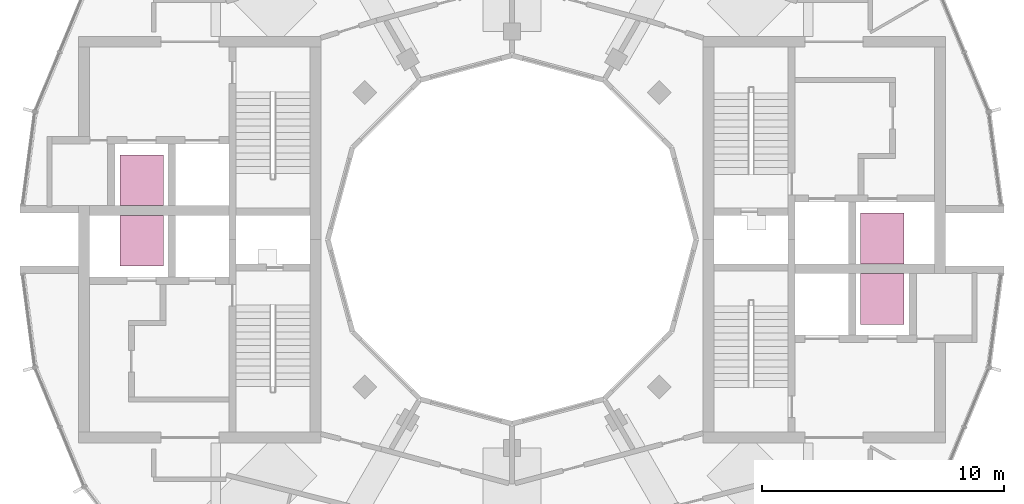
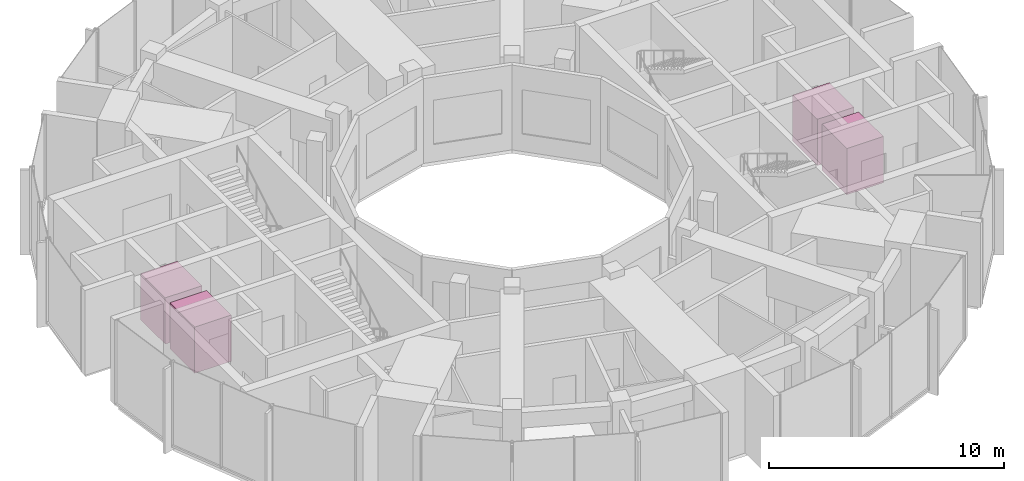
# One storey, part 13 of 13: 4 transport elements.
"""IFC4 building model written with IfcOpenShell, lengths in metres."""

import ifcopenshell
import ifcopenshell.guid

model = None  # the IFC model being written
_history = None  # IfcOwnerHistory: only IFC2X3 demands one
_inside = {}  # id of a spatial element -> (the spatial element, [elements in it])
_under = {}  # id of a project, library or spatial element -> (it, [spatial elements below it])
_declared = {}  # id of a project -> (the project, [libraries it declares])
_typed = {}  # id of a type object -> (the type object, [elements of that type])
_made_of = {}  # id of a material, layer set ... -> (it, [elements and type objects made of it])


def new_model(schema):
    """Start an empty IFC model of exactly this schema.

    Asked for "IFC4X3", IfcOpenShell would pick the latest addendum, in which some entities
    have other attributes; the version numbers below select the first issue.
    IFC2X3 requires an IfcOwnerHistory on every rooted entity: one is made here for all.
    """
    global model, _history
    if schema == "IFC4X3":
        model = ifcopenshell.file(schema_version=(4, 3, 0, 0))
    else:
        model = ifcopenshell.file(schema=schema)
    _inside.clear()
    _under.clear()
    _declared.clear()
    _typed.clear()
    _made_of.clear()
    _history = None
    if model.schema == "IFC2X3":
        org = make("IfcOrganization", Name="unknown")
        user = make(
            "IfcPersonAndOrganization",
            ThePerson=make("IfcPerson", FamilyName="unknown"),
            TheOrganization=org,
        )
        app = make(
            "IfcApplication",
            ApplicationDeveloper=org,
            Version="unknown",
            ApplicationFullName="unknown",
            ApplicationIdentifier="unknown",
        )
        _history = make(
            "IfcOwnerHistory",
            OwningUser=user,
            OwningApplication=app,
            ChangeAction="ADDED",
            CreationDate=0,
        )
    return model


def make(cls, **values):
    """One entity of the class cls with the attributes given. An attribute that is None is left unset."""
    return model.create_entity(
        cls, **{name: value for name, value in values.items() if value is not None}
    )


def rooted(cls, **values):
    """An entity with a GlobalId (a new one), such as an element, a storey or a relation."""
    return make(cls, GlobalId=ifcopenshell.guid.new(), OwnerHistory=_history, **values)


def si_unit(unit_type, name, prefix=None):
    """IfcSIUnit, for example si_unit("LENGTHUNIT", "METRE", prefix="MILLI")."""
    return make("IfcSIUnit", UnitType=unit_type, Prefix=prefix, Name=name)


def assignment(units):
    """IfcUnitAssignment: the units of a project."""
    return None if units is None else make("IfcUnitAssignment", Units=units)


def point(xyz):
    """IfcCartesianPoint."""
    return None if xyz is None else make("IfcCartesianPoint", Coordinates=xyz)


def direction(xyz):
    """IfcDirection."""
    return None if xyz is None else make("IfcDirection", DirectionRatios=xyz)


def frame(location, z_axis=None, x_axis=None):
    """IfcAxis2Placement3D, a coordinate frame: its origin and axes. An axis left out is left unset."""
    return make(
        "IfcAxis2Placement3D",
        Location=point(location),
        Axis=direction(z_axis),
        RefDirection=direction(x_axis),
    )


def frame_2d(location, x_axis=None):
    """IfcAxis2Placement2D, a coordinate frame in the plane: its origin and x axis."""
    return make(
        "IfcAxis2Placement2D", Location=point(location), RefDirection=direction(x_axis)
    )


def origin():
    """The frame at (0, 0, 0) with its axes left unset."""
    return frame((0.0, 0.0, 0.0))


def origin_2d():
    """The frame at (0, 0) in the plane with its x axis left unset."""
    return frame_2d((0.0, 0.0))


def place(relative_to, where):
    """IfcLocalPlacement: puts the frame where relative to a parent placement (None: the world)."""
    return make(
        "IfcLocalPlacement", PlacementRelTo=relative_to, RelativePlacement=where
    )


def context(
    kind, dimensions, precision=None, world=None, true_north=None, identifier=None
):
    """IfcGeometricRepresentationContext, for example the 3D "Model" context."""
    return make(
        "IfcGeometricRepresentationContext",
        ContextIdentifier=identifier,
        ContextType=kind,
        CoordinateSpaceDimension=dimensions,
        Precision=precision,
        WorldCoordinateSystem=world,
        TrueNorth=true_north,
    )


def subcontext(parent, identifier, kind, view, scale=None):
    """IfcGeometricRepresentationSubContext, for example "Body" below "Model"."""
    return make(
        "IfcGeometricRepresentationSubContext",
        ContextIdentifier=identifier,
        ContextType=kind,
        ParentContext=parent,
        TargetScale=scale,
        TargetView=view,
    )


def project(units=None, contexts=None):
    """IfcProject with its units and contexts."""
    return rooted(
        "IfcProject",
        Name="project",
        RepresentationContexts=contexts,
        UnitsInContext=assignment(units),
    )


def spatial(cls, under=None, at=None, **own):
    """A site, building, storey or space (cls), placed at a placement, below another one or the project."""
    s = rooted(cls, ObjectPlacement=at, **own)
    if under is not None:
        _under.setdefault(under.id(), (under, []))[1].append(s)
    return s


def profile(cls, at=None, kind="AREA", **sizes):
    """A parametric profile (cls). Its sizes go by their IFC names, for example OverallWidth=200.0."""
    return make(cls, ProfileType=kind, Position=at, **sizes)


def rectangle(**sizes):
    """IfcRectangleProfileDef."""
    return profile("IfcRectangleProfileDef", **sizes)


def extrude(swept, where, along, depth):
    """IfcExtrudedAreaSolid: the profile swept, set in the frame where, extruded along a direction by depth."""
    return make(
        "IfcExtrudedAreaSolid",
        SweptArea=swept,
        Position=where,
        ExtrudedDirection=direction(along),
        Depth=depth,
    )


def shape(context_of_items, identifier, shape_type, items):
    """IfcShapeRepresentation: the items that make up one representation, for example the "Body"."""
    return make(
        "IfcShapeRepresentation",
        ContextOfItems=context_of_items,
        RepresentationIdentifier=identifier,
        RepresentationType=shape_type,
        Items=items,
    )


def material(Name=None, Category=None):
    """IfcMaterial."""
    return make("IfcMaterial", Name=Name, Category=Category)


def made_of(thing, what):
    """Note that an element or type object is made of a material, layer set ...; save() writes the relation."""
    if what is not None:
        _made_of.setdefault(what.id(), (what, []))[1].append(thing)
    return thing


def type_object(cls, material=None, **own):
    """A type object (cls), such as IfcWallType, which elements share."""
    return made_of(rooted(cls, **own), material)


def element(
    cls,
    number,
    at=None,
    inside=None,
    cuts=None,
    type_object=None,
    material=None,
    context=None,
    identifier="Body",
    shape_type=None,
    held_by="IfcProductDefinitionShape",
    body=None,
    shapes=None,
    **own,
):
    """One element of the class cls, such as IfcWall. Its Tag is "e" and its number.

    at: its placement. inside: the storey or other place that contains it. cuts: it is an
    opening in that element (IfcRelVoidsElement). A single representation is given by context,
    identifier, shape_type and body (its items); several are given by shapes. held_by: the class
    of the entity that holds the representations. save() writes the other relations.
    """
    e = rooted(cls, Tag="e%d" % number, ObjectPlacement=at, **own)
    if body is not None:
        shapes = [shape(context, identifier, shape_type, body)]
    if shapes is not None:
        e.Representation = make(held_by, Representations=shapes)
    if inside is not None:
        _inside.setdefault(inside.id(), (inside, []))[1].append(e)
    if cuts is not None:
        rooted(
            "IfcRelVoidsElement", RelatingBuildingElement=cuts, RelatedOpeningElement=e
        )
    if type_object is not None:
        _typed.setdefault(type_object.id(), (type_object, []))[1].append(e)
    return made_of(e, material)


def aggregate(whole, parts):
    """IfcRelAggregates: a whole, such as a stair, and the parts it consists of."""
    return rooted("IfcRelAggregates", RelatingObject=whole, RelatedObjects=parts)


def save(model, path):
    """Write the relations noted so far, then the file.

    IfcRelAggregates (storeys below a building ...), IfcRelContainedInSpatialStructure (elements
    in a storey), IfcRelDefinesByType, IfcRelAssociatesMaterial and IfcRelDeclares: one each for
    every whole, place, type object, material and project.
    """
    for whole, parts in _under.values():
        aggregate(whole, parts)
    for where, things in _inside.values():
        rooted(
            "IfcRelContainedInSpatialStructure",
            RelatedElements=things,
            RelatingStructure=where,
        )
    for kind, things in _typed.values():
        rooted("IfcRelDefinesByType", RelatedObjects=things, RelatingType=kind)
    for what, things in _made_of.values():
        rooted("IfcRelAssociatesMaterial", RelatedObjects=things, RelatingMaterial=what)
    for by, libraries in _declared.values():
        rooted("IfcRelDeclares", RelatingContext=by, RelatedDefinitions=libraries)
    model.write(path)


model = new_model("IFC4")

# Units and contexts
model_context = context("Model", 3, precision=1e-05, world=origin(), true_north=direction((0.0, 1.0)))
body_context = subcontext(model_context, "Body", "Model", "MODEL_VIEW")
ifc_project = project(units=[si_unit("LENGTHUNIT", "METRE"), si_unit("AREAUNIT", "SQUARE_METRE"), si_unit("VOLUMEUNIT", "CUBIC_METRE"), si_unit("PLANEANGLEUNIT", "RADIAN"), si_unit("MASSUNIT", "GRAM", prefix="KILO")], contexts=[model_context])

# Site, building, storey
site_placement = place(None, origin())
site = spatial("IfcSite", under=ifc_project, at=site_placement, CompositionType="ELEMENT")
building_placement = place(site_placement, origin())
building = spatial("IfcBuilding", under=site, at=building_placement, Name="Torre Brocal", CompositionType="ELEMENT")
storey_placement = place(building_placement, frame((0.0, 0.0, 323.699951171875)))
storey = spatial("IfcBuildingStorey", under=building, at=storey_placement, Name="L74", CompositionType="ELEMENT", Elevation=323.699951171875)

# Transport elements
ifc_material = material(Name="Stainless steel AISI 316", Category="steel")
transport_element_type = type_object("IfcTransportElementType", Name="PASSENGER LIFT", PredefinedType="ELEVATOR", material=ifc_material)
for number, where, z_axis, x_axis, name in (
    (1, (95.300048828125, 75.050048828125, 0.0), (0.0, 0.0, 1.0), (1.0, 0.0, 0.0), "HIGH RISE LIFT E-HR1"),
    (2, (95.300048828125, 72.550048828125, 0.0), (0.0, 0.0, 1.0), (1.0, 0.0, 0.0), "HIGH RISE LIFT E-HR2"),
    (3, (64.699951171875, 74.949951171875, 0.0), (0.0, 0.0, 1.0), (1.0, 0.0, 0.0), "HIGH RISE LIFT W-HR1"),
    (4, (64.699951171875, 77.449951171875, 0.0), (0.0, 0.0, 1.0), (1.0, 0.0, 0.0), "HIGH RISE LIFT W-HR2"),
):
    element("IfcTransportElement", number, at=place(storey_placement, frame(where, z_axis=z_axis, x_axis=x_axis)), inside=storey, type_object=transport_element_type, Name=name, PredefinedType="ELEVATOR", context=body_context, shape_type="SweptSolid", body=[
        extrude(rectangle(XDim=1.800048828125, YDim=2.10009765625, at=origin_2d()), origin(), (0.0, 0.0, 1.0), 2.39990234375),
    ])

save(model, "model.ifc")
